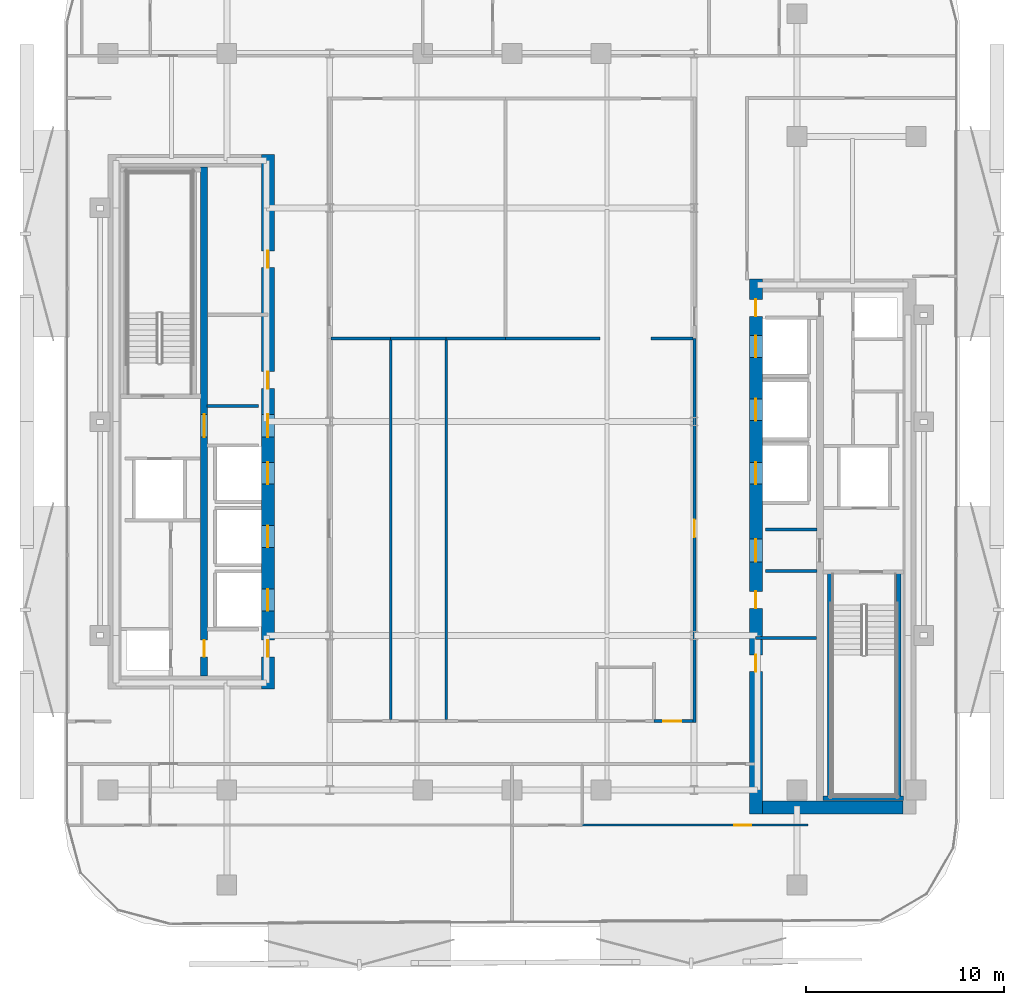
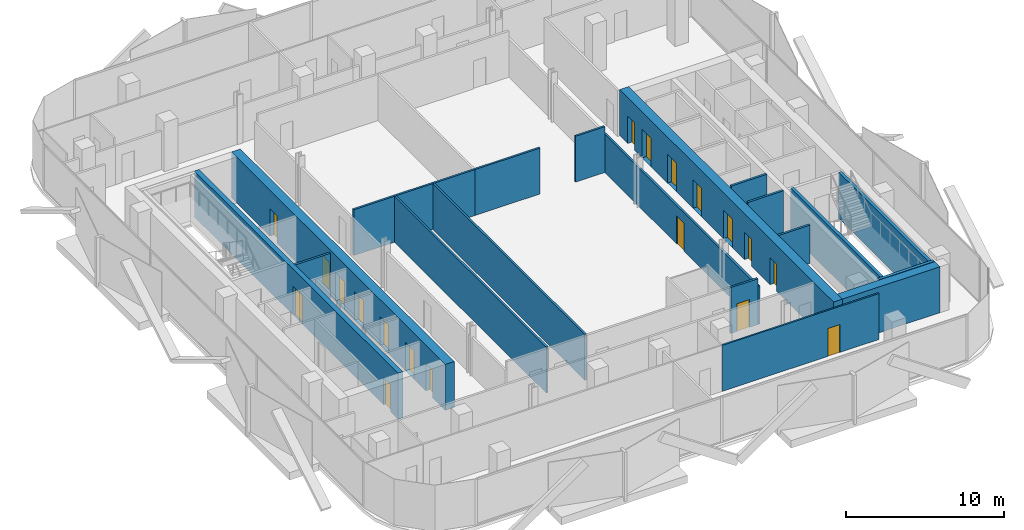
# One storey, part 4 of 16: 21 walls, 19 doors, 19 openings.
"""IFC4 building model written with IfcOpenShell, lengths in metres."""

from ifc_helpers import new_model, si_unit, direction, frame, frame_2d, origin, place, context, subcontext, project, spatial, rectangle, extrude, material, layer, layer_set, type_object, element, fill, save


model = new_model("IFC4")

# Units and contexts
model_context = context("Model", 3, precision=1e-05, world=origin(), true_north=direction((0.0, 1.0)))
body_context = subcontext(model_context, "Body", "Model", "MODEL_VIEW")
ifc_project = project(units=[si_unit("LENGTHUNIT", "METRE"), si_unit("AREAUNIT", "SQUARE_METRE"), si_unit("VOLUMEUNIT", "CUBIC_METRE"), si_unit("PLANEANGLEUNIT", "RADIAN"), si_unit("MASSUNIT", "GRAM", prefix="KILO")], contexts=[model_context])

# Site, building, storey
site_placement = place(None, origin())
site = spatial("IfcSite", under=ifc_project, at=site_placement, CompositionType="ELEMENT")
building_placement = place(site_placement, origin())
building = spatial("IfcBuilding", under=site, at=building_placement, Name="Khairoan Windgate Tower", CompositionType="ELEMENT")
storey_placement = place(building_placement, frame((0.0, 0.0, 206.800048828125)))
storey = spatial("IfcBuildingStorey", under=building, at=storey_placement, Name="L48", CompositionType="ELEMENT", Elevation=206.800048828125)

# Walls
ifc_material_1 = material(Name="Concrete C40/50", Category="concrete")
ifc_layer_1 = layer(ifc_material_1, 0.159912109375, Name="Concrete C40/50")
ifc_layer_set_1 = layer_set([ifc_layer_1], Name="Concrete C40/50")
wall_type_1 = type_object("IfcWallType", Name="Core and Hoistway Enclosure Wall", PredefinedType="STANDARD", material=ifc_layer_set_1)
for number, where, z_axis, x_axis, name in (
    (1, (-15.39990234375, 0.800048828125, 0.0), (0.0, 0.0, 1.0), (1.0, 0.0, 0.0), "L48 Core Shaft Wall SW-WV1-L48"),
    (2, (12.800048828125, -5.449951171875, 0.0), (0.0, 0.0, 1.0), (1.0, 0.0, 0.0), "L48 Core Shaft Wall SW-EV1-L48"),
    (3, (12.800048828125, -7.5400390625, 0.0), (0.0, 0.0, 1.0), (1.0, 0.0, 0.0), "L48 Core Shaft Wall SW-EV2-L48"),
):
    element("IfcWall", number, at=place(storey_placement, frame(where, z_axis=z_axis, x_axis=x_axis)), inside=storey, type_object=wall_type_1, Name=name, PredefinedType="STANDARD", context=body_context, shape_type="SweptSolid", body=[
        extrude(rectangle(XDim=2.599853515625, YDim=0.159912109375, at=frame_2d((1.2998046875, 0.0))), origin(), (0.0, 0.0, 1.0), 3.5400390625),
    ])
ifc_material_2 = material(Name="Acoustic Fire-Rated Gypsum Partition", Category="gypsum")
ifc_layer_2 = layer(ifc_material_2, 0.139892578125, Name="Acoustic Fire-Rated Gypsum Partition")
ifc_layer_set_2 = layer_set([ifc_layer_2], Name="Acoustic Fire-Rated Gypsum Partition")
wall_type_2 = type_object("IfcWallType", Name="Inter-Tenancy Compartment Wall", PredefinedType="PARTITIONING", material=ifc_layer_set_2)
wall_1_placement = place(storey_placement, frame((-6.1201171875, -15.044921875, 0.0), z_axis=(0.0, 0.0, 1.0), x_axis=(0.0, 1.0, 0.0)))
element("IfcWall", 4, at=wall_1_placement, inside=storey, type_object=wall_type_2, Name="L48 Interior Partition 036", PredefinedType="PARTITIONING", context=body_context, shape_type="SweptSolid", body=[
    extrude(rectangle(XDim=19.1748046875, YDim=0.139892578125, at=frame_2d((9.58740234375, 0.0))), origin(), (0.0, 0.0, 1.0), 3.5400390625),
])
wall_2_placement = place(storey_placement, frame((-9.14501953125, 4.199951171875, 0.0), z_axis=(0.0, 0.0, 1.0), x_axis=(1.0, 0.0, 0.0)))
element("IfcWall", 5, at=wall_2_placement, inside=storey, type_object=wall_type_2, Name="L48 Interior Partition 037", PredefinedType="PARTITIONING", context=body_context, shape_type="SweptSolid", body=[
    extrude(rectangle(XDim=3.02490234375, YDim=0.139892578125, at=frame_2d((1.512451171875, 0.0))), origin(), (0.0, 0.0, 1.0), 3.5400390625),
])
wall_3_placement = place(storey_placement, frame((-3.320068359375, -15.044921875, 0.0), z_axis=(0.0, 0.0, 1.0), x_axis=(0.0, 1.0, 0.0)))
element("IfcWall", 6, at=wall_3_placement, inside=storey, type_object=wall_type_2, Name="L48 Interior Partition 038", PredefinedType="PARTITIONING", context=body_context, shape_type="SweptSolid", body=[
    extrude(rectangle(XDim=19.1748046875, YDim=0.139892578125, at=frame_2d((9.58740234375, 0.0))), origin(), (0.0, 0.0, 1.0), 3.5400390625),
])
wall_4_placement = place(storey_placement, frame((-6.1201171875, 4.199951171875, 0.0), z_axis=(0.0, 0.0, 1.0), x_axis=(1.0, 0.0, 0.0)))
element("IfcWall", 7, at=wall_4_placement, inside=storey, type_object=wall_type_2, Name="L48 Interior Partition 039", PredefinedType="PARTITIONING", context=body_context, shape_type="SweptSolid", body=[
    extrude(rectangle(XDim=2.800048828125, YDim=0.139892578125, at=frame_2d((1.39990234375, 0.0))), origin(), (0.0, 0.0, 1.0), 3.5400390625),
])
wall_5_placement = place(storey_placement, frame((-3.320068359375, 4.199951171875, 0.0), z_axis=(0.0, 0.0, 1.0), x_axis=(1.0, 0.0, 0.0)))
element("IfcWall", 8, at=wall_5_placement, inside=storey, type_object=wall_type_2, Name="L48 Interior Partition 041", PredefinedType="PARTITIONING", context=body_context, shape_type="SweptSolid", body=[
    extrude(rectangle(XDim=3.0, YDim=0.139892578125, at=frame_2d((1.5, 0.0))), origin(), (0.0, 0.0, 1.0), 3.5400390625),
])
wall_6_placement = place(storey_placement, frame((-0.320068359375, 4.199951171875, 0.0), z_axis=(0.0, 0.0, 1.0), x_axis=(1.0, 0.0, 0.0)))
element("IfcWall", 9, at=wall_6_placement, inside=storey, type_object=wall_type_2, Name="L48 Interior Partition 042", PredefinedType="PARTITIONING", context=body_context, shape_type="SweptSolid", body=[
    extrude(rectangle(XDim=4.760009765625, YDim=0.139892578125, at=frame_2d((2.3798828125, 0.0))), origin(), (0.0, 0.0, 1.0), 3.5400390625),
])
wall_7_placement = place(storey_placement, frame((7.02001953125, 4.199951171875, 0.0), z_axis=(0.0, 0.0, 1.0), x_axis=(1.0, 0.0, 0.0)))
element("IfcWall", 10, at=wall_7_placement, inside=storey, type_object=wall_type_2, Name="L48 Interior Partition 044", PredefinedType="PARTITIONING", context=body_context, shape_type="SweptSolid", body=[
    extrude(rectangle(XDim=2.125, YDim=0.139892578125, at=frame_2d((1.0625, 0.0))), origin(), (0.0, 0.0, 1.0), 3.5400390625),
])

# Wall, opening, door
ifc_material_3 = material(Name="Gypsum Stud Partition", Category="gypsum")
ifc_layer_3 = layer(ifc_material_3, 0.1201171875, Name="Gypsum Stud Partition")
ifc_layer_set_3 = layer_set([ifc_layer_3], Name="Gypsum Stud Partition")
wall_type_3 = type_object("IfcWallType", Name="Internal Room Partition Wall", PredefinedType="PARTITIONING", material=ifc_layer_set_3)
wall_8_placement = place(storey_placement, frame((3.5400390625, -20.3701171875, 0.0), z_axis=(0.0, 0.0, 1.0), x_axis=(1.0, 0.0, 0.0)))
wall_8 = element("IfcWall", 11, at=wall_8_placement, inside=storey, type_object=wall_type_3, Name="L48 Interior Partition 066", PredefinedType="PARTITIONING", context=body_context, shape_type="SweptSolid", body=[
    extrude(rectangle(XDim=11.419921875, YDim=0.1201171875, at=frame_2d((5.7099609375, 0.0))), origin(), (0.0, 0.0, 1.0), 3.5400390625),
])
opening_1_placement = place(wall_8_placement, frame((7.68994140625, 0.0, 0.0)))
opening_1 = element("IfcOpeningElement", 12, at=opening_1_placement, cuts=wall_8, Name="Opening ID-RM", PredefinedType="OPENING", context=body_context, shape_type="SweptSolid", body=[
    extrude(rectangle(XDim=0.860107421875, YDim=2.14990234375, at=frame_2d((0.43017578125, 1.074951171875))), frame((0.0, 0.070068359375, 0.0), z_axis=(0.0, -1.0, 0.0), x_axis=(1.0, 0.0, 0.0)), (0.0, 0.0, 1.0), 0.14013671875),
])
ifc_material_4 = material(Name="Teak Veneer Timber Leaf", Category="wood")
door_type_1 = type_object("IfcDoorType", Name="Internal Bedroom and Office Door ID-RM 860x2150", OperationType="NOTDEFINED", PredefinedType="DOOR", material=ifc_material_4)
door_1_placement = place(opening_1_placement, origin())
door_1 = element("IfcDoor", 13, at=door_1_placement, inside=storey, type_object=door_type_1, Name="L48 L48-52-L48-53 Door", OperationType="SINGLE_SWING_LEFT", OverallHeight=2.14990234375, OverallWidth=0.860107421875, PredefinedType="DOOR", context=body_context, shape_type="SweptSolid", body=[
    extrude(rectangle(XDim=0.860107421875, YDim=2.14990234375, at=frame_2d((0.43017578125, 1.074951171875))), frame((0.0, 0.02490234375, 0.0), z_axis=(0.0, -1.0, 0.0), x_axis=(1.0, 0.0, 0.0)), (0.0, 0.0, 1.0), 0.050048828125),
])
fill(opening_1, door_1)

# Wall
ifc_material_5 = material(Name="Concrete C40/50", Category="concrete")
ifc_layer_4 = layer(ifc_material_5, 0.159912109375, Name="Concrete C40/50")
ifc_layer_set_4 = layer_set([ifc_layer_4], Name="Concrete C40/50")
wall_type_4 = type_object("IfcWallType", Name="Plant and Refuge Compartment Wall", PredefinedType="PARTITIONING", material=ifc_layer_set_4)
wall_9_placement = place(storey_placement, frame((12.31005859375, -10.919921875, 0.0), z_axis=(0.0, 0.0, 1.0), x_axis=(1.0, 0.0, 0.0)))
element("IfcWall", 14, at=wall_9_placement, inside=storey, type_object=wall_type_4, Name="L48 Interior Partition 010", PredefinedType="PARTITIONING", context=body_context, shape_type="SweptSolid", body=[
    extrude(rectangle(XDim=3.06494140625, YDim=0.159912109375, at=frame_2d((1.532470703125, 0.0))), origin(), (0.0, 0.0, 1.0), 2.951904296875),
])

# Wall, opening, door
ifc_material_6 = material(Name="Acoustic Fire-Rated Gypsum Partition", Category="gypsum")
ifc_layer_5 = layer(ifc_material_6, 0.14990234375, Name="Acoustic Fire-Rated Gypsum Partition")
ifc_layer_set_5 = layer_set([ifc_layer_5], Name="Acoustic Fire-Rated Gypsum Partition")
wall_type_5 = type_object("IfcWallType", Name="Rated Corridor Partition Wall", PredefinedType="PARTITIONING", material=ifc_layer_set_5)
wall_10_placement = place(storey_placement, frame((9.219970703125, -15.195068359375, 0.0), z_axis=(0.0, 0.0, 1.0), x_axis=(0.0, 1.0, 0.0)))
wall_10 = element("IfcWall", 15, at=wall_10_placement, inside=storey, type_object=wall_type_5, Name="L48 Interior Partition 013", PredefinedType="PARTITIONING", context=body_context, shape_type="SweptSolid", body=[
    extrude(rectangle(XDim=19.39501953125, YDim=0.14990234375, at=frame_2d((9.697509765625, 0.0))), origin(), (0.0, 0.0, 1.0), 2.951904296875),
])
opening_2_placement = place(wall_10_placement, frame((9.348388671875, 0.0, 0.0)))
opening_2 = element("IfcOpeningElement", 16, at=opening_2_placement, cuts=wall_10, Name="Opening FD-ENT", PredefinedType="OPENING", context=body_context, shape_type="SweptSolid", body=[
    extrude(rectangle(XDim=0.89990234375, YDim=2.14990234375, at=frame_2d((0.449951171875, 1.074951171875))), frame((0.0, 0.0849609375, 0.0), z_axis=(0.0, -1.0, 0.0), x_axis=(1.0, 0.0, 0.0)), (0.0, 0.0, 1.0), 0.169921875),
])
ifc_material_7 = material(Name="Timber Fire-Rated Core", Category="wood")
door_type_2 = type_object("IfcDoorType", Name="Unit and Office Fire Entrance Door FD-ENT 900x2150", OperationType="NOTDEFINED", PredefinedType="DOOR", material=ifc_material_7)
door_2_placement = place(opening_2_placement, origin())
door_2 = element("IfcDoor", 17, at=door_2_placement, inside=storey, type_object=door_type_2, Name="L48 L48-29-L48-36 Door", OperationType="SINGLE_SWING_LEFT", OverallHeight=2.14990234375, OverallWidth=0.89990234375, PredefinedType="DOOR", context=body_context, shape_type="SweptSolid", body=[
    extrude(rectangle(XDim=0.89990234375, YDim=2.14990234375, at=frame_2d((0.449951171875, 1.074951171875))), frame((0.0, 0.02490234375, 0.0), z_axis=(0.0, -1.0, 0.0), x_axis=(1.0, 0.0, 0.0)), (0.0, 0.0, 1.0), 0.050048828125),
])
fill(opening_2, door_2)

wall_11_placement = place(storey_placement, frame((7.179931640625, -15.1201171875, 0.0), z_axis=(0.0, 0.0, 1.0), x_axis=(1.0, 0.0, 0.0)))
wall_11 = element("IfcWall", 18, at=wall_11_placement, inside=storey, type_object=wall_type_5, Name="L48 Interior Partition 030", PredefinedType="PARTITIONING", context=body_context, shape_type="SweptSolid", body=[
    extrude(rectangle(XDim=1.965087890625, YDim=0.14990234375, at=frame_2d((0.982421875, 0.0))), origin(), (0.0, 0.0, 1.0), 3.5400390625),
])
opening_3_placement = place(wall_11_placement, frame((0.4599609375, 0.0, 0.0)))
opening_3 = element("IfcOpeningElement", 19, at=opening_3_placement, cuts=wall_11, Name="Opening FD-ENT", PredefinedType="OPENING", context=body_context, shape_type="SweptSolid", body=[
    extrude(rectangle(XDim=0.89990234375, YDim=2.14990234375, at=frame_2d((0.449951171875, 1.074951171875))), frame((0.0, 0.0849609375, 0.0), z_axis=(0.0, -1.0, 0.0), x_axis=(1.0, 0.0, 0.0)), (0.0, 0.0, 1.0), 0.169921875),
])
door_3_placement = place(opening_3_placement, origin())
door_3 = element("IfcDoor", 20, at=door_3_placement, inside=storey, type_object=door_type_2, Name="L48 L48-31-L48-36 Door", OperationType="SINGLE_SWING_LEFT", OverallHeight=2.14990234375, OverallWidth=0.89990234375, PredefinedType="DOOR", context=body_context, shape_type="SweptSolid", body=[
    extrude(rectangle(XDim=0.89990234375, YDim=2.14990234375, at=frame_2d((0.449951171875, 1.074951171875))), frame((0.0, 0.02490234375, 0.0), z_axis=(0.0, -1.0, 0.0), x_axis=(1.0, 0.0, 0.0)), (0.0, 0.0, 1.0), 0.050048828125),
])
fill(opening_3, door_3)

# Wall, openings, doors
ifc_material_8 = material(Name="Concrete C60/75", Category="concrete")
ifc_layer_6 = layer(ifc_material_8, 0.64990234375, Name="Concrete C60/75")
ifc_layer_set_6 = layer_set([ifc_layer_6], Name="Concrete C60/75")
wall_type_6 = type_object("IfcWallType", Name="Shear Wall CW-E2 650mm", PredefinedType="SHEAR", material=ifc_layer_set_6)
wall_12_placement = place(storey_placement, frame((12.324951171875, -19.800048828125, 0.0), z_axis=(0.0, 0.0, 1.0), x_axis=(0.0, 1.0, 0.0)))
wall_12 = element("IfcWall", 21, at=wall_12_placement, inside=storey, type_object=wall_type_6, Name="E Core West Shear Wall L48", PredefinedType="SHEAR", context=body_context, shape_type="SweptSolid", body=[
    extrude(rectangle(XDim=27.0, YDim=0.64990234375, at=frame_2d((13.5, 0.0))), origin(), (0.0, 0.0, 1.0), 3.5400390625),
])
opening_4_placement = place(wall_12_placement, frame((23.050048828125, 0.0, 0.0)))
opening_4 = element("IfcOpeningElement", 22, at=opening_4_placement, cuts=wall_12, Name="Opening LD-PL", PredefinedType="OPENING", context=body_context, shape_type="SweptSolid", body=[
    extrude(rectangle(XDim=1.10009765625, YDim=2.199951171875, at=frame_2d((0.550048828125, 1.10009765625))), frame((0.0, 0.3349609375, 0.0), z_axis=(0.0, -1.0, 0.0), x_axis=(1.0, 0.0, 0.0)), (0.0, 0.0, 1.0), 0.669921875),
])
opening_5_placement = place(wall_12_placement, frame((19.85009765625, 0.0, 0.0)))
opening_5 = element("IfcOpeningElement", 23, at=opening_5_placement, cuts=wall_12, Name="Opening LD-PL", PredefinedType="OPENING", context=body_context, shape_type="SweptSolid", body=[
    extrude(rectangle(XDim=1.10009765625, YDim=2.199951171875, at=frame_2d((0.550048828125, 1.10009765625))), frame((0.0, 0.3349609375, 0.0), z_axis=(0.0, -1.0, 0.0), x_axis=(1.0, 0.0, 0.0)), (0.0, 0.0, 1.0), 0.669921875),
])
opening_6_placement = place(wall_12_placement, frame((16.64990234375, 0.0, 0.0)))
opening_6 = element("IfcOpeningElement", 24, at=opening_6_placement, cuts=wall_12, Name="Opening LD-PL", PredefinedType="OPENING", context=body_context, shape_type="SweptSolid", body=[
    extrude(rectangle(XDim=1.10009765625, YDim=2.199951171875, at=frame_2d((0.550048828125, 1.10009765625))), frame((0.0, 0.3349609375, 0.0), z_axis=(0.0, -1.0, 0.0), x_axis=(1.0, 0.0, 0.0)), (0.0, 0.0, 1.0), 0.669921875),
])
opening_7_placement = place(wall_12_placement, frame((7.175048828125, 0.0, 0.0)))
opening_7 = element("IfcOpeningElement", 25, at=opening_7_placement, cuts=wall_12, Name="Opening FD-SRV", PredefinedType="OPENING", context=body_context, shape_type="SweptSolid", body=[
    extrude(rectangle(XDim=0.85009765625, YDim=2.10009765625, at=frame_2d((0.425048828125, 1.050048828125))), frame((0.0, 0.3349609375, 0.0), z_axis=(0.0, -1.0, 0.0), x_axis=(1.0, 0.0, 0.0)), (0.0, 0.0, 1.0), 0.669921875),
])
opening_8_placement = place(wall_12_placement, frame((10.375, 0.0, 0.0)))
opening_8 = element("IfcOpeningElement", 26, at=opening_8_placement, cuts=wall_12, Name="Opening FD-SRV", PredefinedType="OPENING", context=body_context, shape_type="SweptSolid", body=[
    extrude(rectangle(XDim=0.85009765625, YDim=2.10009765625, at=frame_2d((0.425048828125, 1.050048828125))), frame((0.0, 0.3349609375, 0.0), z_axis=(0.0, -1.0, 0.0), x_axis=(1.0, 0.0, 0.0)), (0.0, 0.0, 1.0), 0.669921875),
])
opening_9_placement = place(wall_12_placement, frame((12.72509765625, 0.0, 0.0)))
opening_9 = element("IfcOpeningElement", 27, at=opening_9_placement, cuts=wall_12, Name="Opening FD-FFL", PredefinedType="OPENING", context=body_context, shape_type="SweptSolid", body=[
    extrude(rectangle(XDim=1.14990234375, YDim=2.199951171875, at=frame_2d((0.574951171875, 1.10009765625))), frame((0.0, 0.3349609375, 0.0), z_axis=(0.0, -1.0, 0.0), x_axis=(1.0, 0.0, 0.0)), (0.0, 0.0, 1.0), 0.669921875),
])
opening_10_placement = place(wall_12_placement, frame((25.125, 0.0, 0.0)))
opening_10 = element("IfcOpeningElement", 28, at=opening_10_placement, cuts=wall_12, Name="Opening FD-SRV", PredefinedType="OPENING", context=body_context, shape_type="SweptSolid", body=[
    extrude(rectangle(XDim=0.85009765625, YDim=2.10009765625, at=frame_2d((0.425048828125, 1.050048828125))), frame((0.0, 0.3349609375, 0.0), z_axis=(0.0, -1.0, 0.0), x_axis=(1.0, 0.0, 0.0)), (0.0, 0.0, 1.0), 0.669921875),
])
ifc_material_9 = material(Name="Steel S355", Category="steel")
door_type_3 = type_object("IfcDoorType", Name="Core Service and Riser Fire Door FD-SRV 850x2100", OperationType="NOTDEFINED", PredefinedType="DOOR", material=ifc_material_9)
door_4_placement = place(opening_7_placement, origin())
door_4 = element("IfcDoor", 29, at=door_4_placement, inside=storey, type_object=door_type_3, Name="L48 East Core Service Room Door 1", OperationType="SINGLE_SWING_RIGHT", OverallHeight=2.10009765625, OverallWidth=0.85009765625, PredefinedType="DOOR", context=body_context, shape_type="SweptSolid", body=[
    extrude(rectangle(XDim=0.85009765625, YDim=2.10009765625, at=frame_2d((0.425048828125, 1.050048828125))), frame((0.0, 0.02490234375, 0.0), z_axis=(0.0, -1.0, 0.0), x_axis=(1.0, 0.0, 0.0)), (0.0, 0.0, 1.0), 0.050048828125),
])
fill(opening_7, door_4)
door_5_placement = place(opening_8_placement, origin())
door_5 = element("IfcDoor", 30, at=door_5_placement, inside=storey, type_object=door_type_3, Name="L48 East Core Service Room Door 2", OperationType="SINGLE_SWING_LEFT", OverallHeight=2.10009765625, OverallWidth=0.85009765625, PredefinedType="DOOR", context=body_context, shape_type="SweptSolid", body=[
    extrude(rectangle(XDim=0.85009765625, YDim=2.10009765625, at=frame_2d((0.425048828125, 1.050048828125))), frame((0.0, 0.02490234375, 0.0), z_axis=(0.0, -1.0, 0.0), x_axis=(1.0, 0.0, 0.0)), (0.0, 0.0, 1.0), 0.050048828125),
])
fill(opening_8, door_5)
door_6_placement = place(opening_10_placement, origin())
door_6 = element("IfcDoor", 31, at=door_6_placement, inside=storey, type_object=door_type_3, Name="L48 East Core Service Vestibule Outer Door", OperationType="SINGLE_SWING_RIGHT", OverallHeight=2.10009765625, OverallWidth=0.85009765625, PredefinedType="DOOR", context=body_context, shape_type="SweptSolid", body=[
    extrude(rectangle(XDim=0.85009765625, YDim=2.10009765625, at=frame_2d((0.425048828125, 1.050048828125))), frame((0.0, 0.02490234375, 0.0), z_axis=(0.0, -1.0, 0.0), x_axis=(1.0, 0.0, 0.0)), (0.0, 0.0, 1.0), 0.050048828125),
])
fill(opening_10, door_6)
ifc_material_10 = material(Name="Steel S355", Category="steel")
door_type_4 = type_object("IfcDoorType", Name="Firefighting Lobby Fire Door FD-FFL 1150x2200", OperationType="NOTDEFINED", PredefinedType="DOOR", material=ifc_material_10)
door_7_placement = place(opening_9_placement, origin())
door_7 = element("IfcDoor", 32, at=door_7_placement, inside=storey, type_object=door_type_4, Name="L48 East Core Vestibule Entry Door", OperationType="SINGLE_SWING_RIGHT", OverallHeight=2.199951171875, OverallWidth=1.14990234375, PredefinedType="DOOR", context=body_context, shape_type="SweptSolid", body=[
    extrude(rectangle(XDim=1.14990234375, YDim=2.199951171875, at=frame_2d((0.574951171875, 1.10009765625))), frame((0.0, 0.02490234375, 0.0), z_axis=(0.0, -1.0, 0.0), x_axis=(1.0, 0.0, 0.0)), (0.0, 0.0, 1.0), 0.050048828125),
])
fill(opening_9, door_7)
ifc_material_11 = material(Name="Anodised Bronze Aluminium 6063-T6", Category="aluminium")
door_type_5 = type_object("IfcDoorType", Name="Passenger Lift Sliding Landing Door LD-PL 1100x2200", OperationType="DOUBLE_DOOR_SLIDING", PredefinedType="DOOR", material=ifc_material_11)
door_8_placement = place(opening_4_placement, origin())
door_8 = element("IfcDoor", 33, at=door_8_placement, inside=storey, type_object=door_type_5, Name="L48 Lift PL7 Sliding Landing Door", OperationType="DOUBLE_DOOR_SLIDING", OverallHeight=2.199951171875, OverallWidth=1.10009765625, PredefinedType="DOOR", context=body_context, shape_type="SweptSolid", body=[
    extrude(rectangle(XDim=1.10009765625, YDim=2.199951171875, at=frame_2d((0.550048828125, 1.10009765625))), frame((0.0, 0.02490234375, 0.0), z_axis=(0.0, -1.0, 0.0), x_axis=(1.0, 0.0, 0.0)), (0.0, 0.0, 1.0), 0.050048828125),
])
fill(opening_4, door_8)
door_9_placement = place(opening_5_placement, origin())
door_9 = element("IfcDoor", 34, at=door_9_placement, inside=storey, type_object=door_type_5, Name="L48 Lift PL8 Sliding Landing Door", OperationType="DOUBLE_DOOR_SLIDING", OverallHeight=2.199951171875, OverallWidth=1.10009765625, PredefinedType="DOOR", context=body_context, shape_type="SweptSolid", body=[
    extrude(rectangle(XDim=1.10009765625, YDim=2.199951171875, at=frame_2d((0.550048828125, 1.10009765625))), frame((0.0, 0.02490234375, 0.0), z_axis=(0.0, -1.0, 0.0), x_axis=(1.0, 0.0, 0.0)), (0.0, 0.0, 1.0), 0.050048828125),
])
fill(opening_5, door_9)
door_10_placement = place(opening_6_placement, origin())
door_10 = element("IfcDoor", 35, at=door_10_placement, inside=storey, type_object=door_type_5, Name="L48 Lift PL9 Sliding Landing Door", OperationType="DOUBLE_DOOR_SLIDING", OverallHeight=2.199951171875, OverallWidth=1.10009765625, PredefinedType="DOOR", context=body_context, shape_type="SweptSolid", body=[
    extrude(rectangle(XDim=1.10009765625, YDim=2.199951171875, at=frame_2d((0.550048828125, 1.10009765625))), frame((0.0, 0.02490234375, 0.0), z_axis=(0.0, -1.0, 0.0), x_axis=(1.0, 0.0, 0.0)), (0.0, 0.0, 1.0), 0.050048828125),
])
fill(opening_6, door_10)

# Wall
wall_13_placement = place(storey_placement, frame((12.64990234375, -19.47509765625, 0.0), z_axis=(0.0, 0.0, 1.0), x_axis=(1.0, 0.0, 0.0)))
element("IfcWall", 36, at=wall_13_placement, inside=storey, type_object=wall_type_6, Name="E Core South Shear Wall L48", PredefinedType="SHEAR", context=body_context, shape_type="SweptSolid", body=[
    extrude(rectangle(XDim=7.10009765625, YDim=0.64990234375, at=frame_2d((3.550048828125, 0.0))), origin(), (0.0, 0.0, 1.0), 3.5400390625),
])

# Wall, openings, doors
ifc_material_12 = material(Name="Concrete C60/75", Category="concrete")
ifc_layer_7 = layer(ifc_material_12, 0.64990234375, Name="Concrete C60/75")
ifc_layer_set_7 = layer_set([ifc_layer_7], Name="Concrete C60/75")
wall_type_7 = type_object("IfcWallType", Name="Shear Wall CW-W2 650mm", PredefinedType="SHEAR", material=ifc_layer_set_7)
wall_14_placement = place(storey_placement, frame((-12.324951171875, -13.5, 0.0), z_axis=(0.0, 0.0, 1.0), x_axis=(0.0, 1.0, 0.0)))
wall_14 = element("IfcWall", 37, at=wall_14_placement, inside=storey, type_object=wall_type_7, Name="W Core East Shear Wall L48", PredefinedType="SHEAR", context=body_context, shape_type="SweptSolid", body=[
    extrude(rectangle(XDim=27.0, YDim=0.64990234375, at=frame_2d((13.5, 0.0))), origin(), (0.0, 0.0, 1.0), 3.5400390625),
])
opening_11_placement = place(wall_14_placement, frame((10.35009765625, 0.0, 0.0)))
opening_11 = element("IfcOpeningElement", 38, at=opening_11_placement, cuts=wall_14, Name="Opening LD-PL", PredefinedType="OPENING", context=body_context, shape_type="SweptSolid", body=[
    extrude(rectangle(XDim=1.10009765625, YDim=2.199951171875, at=frame_2d((0.550048828125, 1.10009765625))), frame((0.0, 0.3349609375, 0.0), z_axis=(0.0, -1.0, 0.0), x_axis=(1.0, 0.0, 0.0)), (0.0, 0.0, 1.0), 0.669921875),
])
opening_12_placement = place(wall_14_placement, frame((7.14990234375, 0.0, 0.0)))
opening_12 = element("IfcOpeningElement", 39, at=opening_12_placement, cuts=wall_14, Name="Opening LD-PL", PredefinedType="OPENING", context=body_context, shape_type="SweptSolid", body=[
    extrude(rectangle(XDim=1.10009765625, YDim=2.199951171875, at=frame_2d((0.550048828125, 1.10009765625))), frame((0.0, 0.3349609375, 0.0), z_axis=(0.0, -1.0, 0.0), x_axis=(1.0, 0.0, 0.0)), (0.0, 0.0, 1.0), 0.669921875),
])
opening_13_placement = place(wall_14_placement, frame((3.949951171875, 0.0, 0.0)))
opening_13 = element("IfcOpeningElement", 40, at=opening_13_placement, cuts=wall_14, Name="Opening LD-PL", PredefinedType="OPENING", context=body_context, shape_type="SweptSolid", body=[
    extrude(rectangle(XDim=1.10009765625, YDim=2.199951171875, at=frame_2d((0.550048828125, 1.10009765625))), frame((0.0, 0.3349609375, 0.0), z_axis=(0.0, -1.0, 0.0), x_axis=(1.0, 0.0, 0.0)), (0.0, 0.0, 1.0), 0.669921875),
])
opening_14_placement = place(wall_14_placement, frame((15.175048828125, 0.0, 0.0)))
opening_14 = element("IfcOpeningElement", 41, at=opening_14_placement, cuts=wall_14, Name="Opening FD-SRV", PredefinedType="OPENING", context=body_context, shape_type="SweptSolid", body=[
    extrude(rectangle(XDim=0.85009765625, YDim=2.10009765625, at=frame_2d((0.425048828125, 1.050048828125))), frame((0.0, 0.3349609375, 0.0), z_axis=(0.0, -1.0, 0.0), x_axis=(1.0, 0.0, 0.0)), (0.0, 0.0, 1.0), 0.669921875),
])
opening_15_placement = place(wall_14_placement, frame((21.27490234375, 0.0, 0.0)))
opening_15 = element("IfcOpeningElement", 42, at=opening_15_placement, cuts=wall_14, Name="Opening FD-SRV", PredefinedType="OPENING", context=body_context, shape_type="SweptSolid", body=[
    extrude(rectangle(XDim=0.85009765625, YDim=2.10009765625, at=frame_2d((0.425048828125, 1.050048828125))), frame((0.0, 0.3349609375, 0.0), z_axis=(0.0, -1.0, 0.0), x_axis=(1.0, 0.0, 0.0)), (0.0, 0.0, 1.0), 0.669921875),
])
opening_16_placement = place(wall_14_placement, frame((12.72509765625, 0.0, 0.0)))
opening_16 = element("IfcOpeningElement", 43, at=opening_16_placement, cuts=wall_14, Name="Opening FD-FFL", PredefinedType="OPENING", context=body_context, shape_type="SweptSolid", body=[
    extrude(rectangle(XDim=1.14990234375, YDim=2.199951171875, at=frame_2d((0.574951171875, 1.10009765625))), frame((0.0, 0.3349609375, 0.0), z_axis=(0.0, -1.0, 0.0), x_axis=(1.0, 0.0, 0.0)), (0.0, 0.0, 1.0), 0.669921875),
])
opening_17_placement = place(wall_14_placement, frame((1.625, 0.0, 0.0)))
opening_17 = element("IfcOpeningElement", 44, at=opening_17_placement, cuts=wall_14, Name="Opening FD-SRV", PredefinedType="OPENING", context=body_context, shape_type="SweptSolid", body=[
    extrude(rectangle(XDim=0.85009765625, YDim=2.10009765625, at=frame_2d((0.425048828125, 1.050048828125))), frame((0.0, 0.3349609375, 0.0), z_axis=(0.0, -1.0, 0.0), x_axis=(1.0, 0.0, 0.0)), (0.0, 0.0, 1.0), 0.669921875),
])
door_11_placement = place(opening_14_placement, origin())
door_11 = element("IfcDoor", 45, at=door_11_placement, inside=storey, type_object=door_type_3, Name="L48 Upper Core Room Door B1-1", OperationType="SINGLE_SWING_RIGHT", OverallHeight=2.10009765625, OverallWidth=0.85009765625, PredefinedType="DOOR", context=body_context, shape_type="SweptSolid", body=[
    extrude(rectangle(XDim=0.85009765625, YDim=2.10009765625, at=frame_2d((0.425048828125, 1.050048828125))), frame((0.0, 0.02490234375, 0.0), z_axis=(0.0, -1.0, 0.0), x_axis=(1.0, 0.0, 0.0)), (0.0, 0.0, 1.0), 0.050048828125),
])
fill(opening_14, door_11)
door_12_placement = place(opening_15_placement, origin())
door_12 = element("IfcDoor", 46, at=door_12_placement, inside=storey, type_object=door_type_3, Name="L48 Upper Core Room Door B1-2", OperationType="SINGLE_SWING_LEFT", OverallHeight=2.10009765625, OverallWidth=0.85009765625, PredefinedType="DOOR", context=body_context, shape_type="SweptSolid", body=[
    extrude(rectangle(XDim=0.85009765625, YDim=2.10009765625, at=frame_2d((0.425048828125, 1.050048828125))), frame((0.0, 0.02490234375, 0.0), z_axis=(0.0, -1.0, 0.0), x_axis=(1.0, 0.0, 0.0)), (0.0, 0.0, 1.0), 0.050048828125),
])
fill(opening_15, door_12)
door_13_placement = place(opening_17_placement, origin())
door_13 = element("IfcDoor", 47, at=door_13_placement, inside=storey, type_object=door_type_3, Name="L48 West Core Service Vestibule Outer Door", OperationType="SINGLE_SWING_RIGHT", OverallHeight=2.10009765625, OverallWidth=0.85009765625, PredefinedType="DOOR", context=body_context, shape_type="SweptSolid", body=[
    extrude(rectangle(XDim=0.85009765625, YDim=2.10009765625, at=frame_2d((0.425048828125, 1.050048828125))), frame((0.0, 0.02490234375, 0.0), z_axis=(0.0, -1.0, 0.0), x_axis=(1.0, 0.0, 0.0)), (0.0, 0.0, 1.0), 0.050048828125),
])
fill(opening_17, door_13)
door_14_placement = place(opening_16_placement, origin())
door_14 = element("IfcDoor", 48, at=door_14_placement, inside=storey, type_object=door_type_4, Name="L48 West Core Vestibule Entry Door", OperationType="SINGLE_SWING_RIGHT", OverallHeight=2.199951171875, OverallWidth=1.14990234375, PredefinedType="DOOR", context=body_context, shape_type="SweptSolid", body=[
    extrude(rectangle(XDim=1.14990234375, YDim=2.199951171875, at=frame_2d((0.574951171875, 1.10009765625))), frame((0.0, 0.02490234375, 0.0), z_axis=(0.0, -1.0, 0.0), x_axis=(1.0, 0.0, 0.0)), (0.0, 0.0, 1.0), 0.050048828125),
])
fill(opening_16, door_14)
door_15_placement = place(opening_11_placement, origin())
door_15 = element("IfcDoor", 49, at=door_15_placement, inside=storey, type_object=door_type_5, Name="L48 Lift PL4 Sliding Landing Door", OperationType="DOUBLE_DOOR_SLIDING", OverallHeight=2.199951171875, OverallWidth=1.10009765625, PredefinedType="DOOR", context=body_context, shape_type="SweptSolid", body=[
    extrude(rectangle(XDim=1.10009765625, YDim=2.199951171875, at=frame_2d((0.550048828125, 1.10009765625))), frame((0.0, 0.02490234375, 0.0), z_axis=(0.0, -1.0, 0.0), x_axis=(1.0, 0.0, 0.0)), (0.0, 0.0, 1.0), 0.050048828125),
])
fill(opening_11, door_15)
door_16_placement = place(opening_12_placement, origin())
door_16 = element("IfcDoor", 50, at=door_16_placement, inside=storey, type_object=door_type_5, Name="L48 Lift PL5 Sliding Landing Door", OperationType="DOUBLE_DOOR_SLIDING", OverallHeight=2.199951171875, OverallWidth=1.10009765625, PredefinedType="DOOR", context=body_context, shape_type="SweptSolid", body=[
    extrude(rectangle(XDim=1.10009765625, YDim=2.199951171875, at=frame_2d((0.550048828125, 1.10009765625))), frame((0.0, 0.02490234375, 0.0), z_axis=(0.0, -1.0, 0.0), x_axis=(1.0, 0.0, 0.0)), (0.0, 0.0, 1.0), 0.050048828125),
])
fill(opening_12, door_16)
door_17_placement = place(opening_13_placement, origin())
door_17 = element("IfcDoor", 51, at=door_17_placement, inside=storey, type_object=door_type_5, Name="L48 Lift PL6 Sliding Landing Door", OperationType="DOUBLE_DOOR_SLIDING", OverallHeight=2.199951171875, OverallWidth=1.10009765625, PredefinedType="DOOR", context=body_context, shape_type="SweptSolid", body=[
    extrude(rectangle(XDim=1.10009765625, YDim=2.199951171875, at=frame_2d((0.550048828125, 1.10009765625))), frame((0.0, 0.02490234375, 0.0), z_axis=(0.0, -1.0, 0.0), x_axis=(1.0, 0.0, 0.0)), (0.0, 0.0, 1.0), 0.050048828125),
])
fill(opening_13, door_17)

ifc_material_13 = material(Name="Concrete C60/75", Category="concrete")
ifc_layer_8 = layer(ifc_material_13, 0.35009765625, Name="Concrete C60/75")
ifc_layer_set_8 = layer_set([ifc_layer_8], Name="Concrete C60/75")
wall_type_8 = type_object("IfcWallType", Name="Shear Wall SW-1 350mm", PredefinedType="SHEAR", material=ifc_layer_set_8)
wall_15_placement = place(storey_placement, frame((-15.550048828125, -12.85009765625, 0.0), z_axis=(0.0, 0.0, 1.0), x_axis=(0.0, 1.0, 0.0)))
wall_15 = element("IfcWall", 52, at=wall_15_placement, inside=storey, type_object=wall_type_8, Name="W Core Spine Shear Wall L48", PredefinedType="SHEAR", context=body_context, shape_type="SweptSolid", body=[
    extrude(rectangle(XDim=25.7001953125, YDim=0.35009765625, at=frame_2d((12.85009765625, 0.0))), origin(), (0.0, 0.0, 1.0), 3.5400390625),
])
opening_18_placement = place(wall_15_placement, frame((12.074951171875, 0.0, 0.0)))
opening_18 = element("IfcOpeningElement", 53, at=opening_18_placement, cuts=wall_15, Name="Opening FD-FFL", PredefinedType="OPENING", context=body_context, shape_type="SweptSolid", body=[
    extrude(rectangle(XDim=1.14990234375, YDim=2.199951171875, at=frame_2d((0.574951171875, 1.10009765625))), frame((0.0, 0.18505859375, 0.0), z_axis=(0.0, -1.0, 0.0), x_axis=(1.0, 0.0, 0.0)), (0.0, 0.0, 1.0), 0.3701171875),
])
opening_19_placement = place(wall_15_placement, frame((0.97509765625, 0.0, 0.0)))
opening_19 = element("IfcOpeningElement", 54, at=opening_19_placement, cuts=wall_15, Name="Opening FD-SRV", PredefinedType="OPENING", context=body_context, shape_type="SweptSolid", body=[
    extrude(rectangle(XDim=0.85009765625, YDim=2.10009765625, at=frame_2d((0.425048828125, 1.050048828125))), frame((0.0, 0.18505859375, 0.0), z_axis=(0.0, -1.0, 0.0), x_axis=(1.0, 0.0, 0.0)), (0.0, 0.0, 1.0), 0.3701171875),
])
door_18_placement = place(opening_19_placement, origin())
door_18 = element("IfcDoor", 55, at=door_18_placement, inside=storey, type_object=door_type_3, Name="L48 West Core Service Passage Inner Door", OperationType="SINGLE_SWING_LEFT", OverallHeight=2.10009765625, OverallWidth=0.85009765625, PredefinedType="DOOR", context=body_context, shape_type="SweptSolid", body=[
    extrude(rectangle(XDim=0.85009765625, YDim=2.10009765625, at=frame_2d((0.425048828125, 1.050048828125))), frame((0.0, 0.02490234375, 0.0), z_axis=(0.0, -1.0, 0.0), x_axis=(1.0, 0.0, 0.0)), (0.0, 0.0, 1.0), 0.050048828125),
])
fill(opening_19, door_18)
door_19_placement = place(opening_18_placement, origin())
door_19 = element("IfcDoor", 56, at=door_19_placement, inside=storey, type_object=door_type_4, Name="L48 West Firefighting Lobby Fire Door", OperationType="SINGLE_SWING_LEFT", OverallHeight=2.199951171875, OverallWidth=1.14990234375, PredefinedType="DOOR", context=body_context, shape_type="SweptSolid", body=[
    extrude(rectangle(XDim=1.14990234375, YDim=2.199951171875, at=frame_2d((0.574951171875, 1.10009765625))), frame((0.0, 0.02490234375, 0.0), z_axis=(0.0, -1.0, 0.0), x_axis=(1.0, 0.0, 0.0)), (0.0, 0.0, 1.0), 0.050048828125),
])
fill(opening_18, door_19)

# Walls
ifc_material_14 = material(Name="Concrete C50/60", Category="concrete")
ifc_layer_9 = layer(ifc_material_14, 0.219970703125, Name="Concrete C50/60")
ifc_layer_set_9 = layer_set([ifc_layer_9], Name="Concrete C50/60")
wall_type_9 = type_object("IfcWallType", Name="Shear Wall SW-ST 220mm", PredefinedType="SHEAR", material=ifc_layer_set_9)
for number, where, z_axis, x_axis, name in (
    (57, (16.0400390625, -19.010009765625, 0.0), (0.0, 0.0, 1.0), (0.0, 1.0, 0.0), "L48 Stair ST1 West Bearing Wall"),
    (58, (19.530029296875, -19.010009765625, 0.0), (0.0, 0.0, 1.0), (0.0, 1.0, 0.0), "L48 Stair ST1 East Bearing Wall"),
):
    element("IfcWall", number, at=place(storey_placement, frame(where, z_axis=z_axis, x_axis=x_axis)), inside=storey, type_object=wall_type_9, Name=name, PredefinedType="SHEAR", context=body_context, shape_type="SweptSolid", body=[
        extrude(rectangle(XDim=11.419921875, YDim=0.219970703125, at=frame_2d((5.7099609375, 0.0))), origin(), (0.0, 0.0, 1.0), 3.5400390625),
    ])
wall_16_placement = place(storey_placement, frame((15.705078125, -19.010009765625, 0.0), z_axis=(0.0, 0.0, 1.0), x_axis=(1.0, 0.0, 0.0)))
element("IfcWall", 59, at=wall_16_placement, inside=storey, type_object=wall_type_9, Name="L48 Stair ST1 South Bearing Wall", PredefinedType="SHEAR", context=body_context, shape_type="SweptSolid", body=[
    extrude(rectangle(XDim=4.06494140625, YDim=0.219970703125, at=frame_2d((2.032470703125, 0.0))), origin(), (0.0, 0.0, 1.0), 3.5400390625),
])

save(model, "model.ifc")
